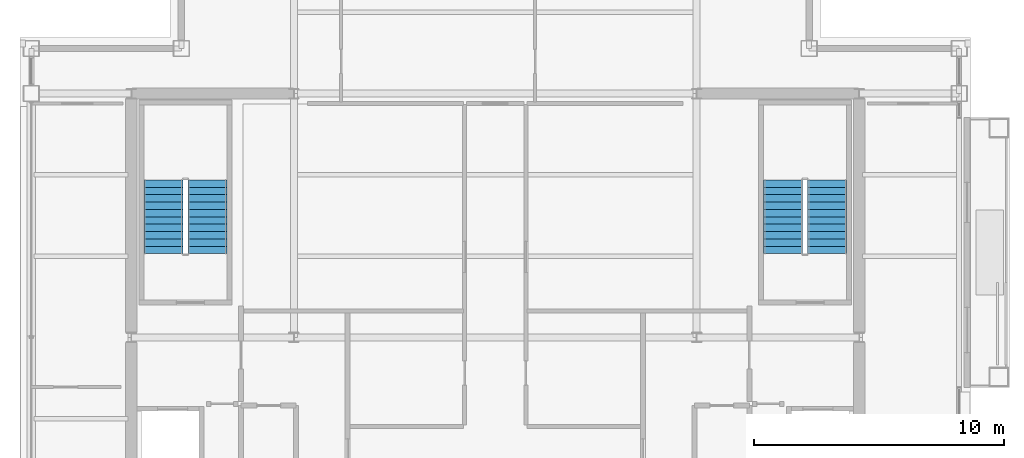
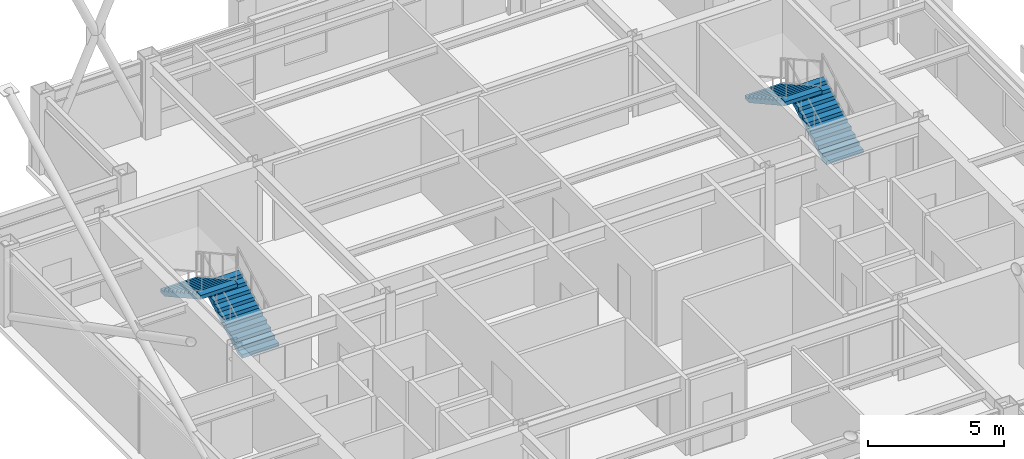
# One storey, part 26 of 28: 4 stair flights, 2 elements without a shape of their own.
"""IFC4 building model written with IfcOpenShell, lengths in metres."""

from ifc_helpers import new_model, si_unit, direction, frame, origin, place, context, subcontext, project, spatial, polyline, outline, extrude, material, type_object, element, aggregate, save


model = new_model("IFC4")

# Units and contexts
model_context = context("Model", 3, precision=1e-05, world=origin(), true_north=direction((0.0, 1.0)))
body_context = subcontext(model_context, "Body", "Model", "MODEL_VIEW")
ifc_project = project(units=[si_unit("LENGTHUNIT", "METRE"), si_unit("AREAUNIT", "SQUARE_METRE"), si_unit("VOLUMEUNIT", "CUBIC_METRE"), si_unit("PLANEANGLEUNIT", "RADIAN"), si_unit("MASSUNIT", "GRAM", prefix="KILO")], contexts=[model_context])

# Site, building, storey
site_placement = place(None, origin())
site = spatial("IfcSite", under=ifc_project, at=site_placement, CompositionType="ELEMENT")
building_placement = place(site_placement, origin())
building = spatial("IfcBuilding", under=site, at=building_placement, Name="Brelmoor Portico Tower", CompositionType="ELEMENT")
storey_placement = place(building_placement, frame((0.0, 0.0, 225.60009765625)))
storey = spatial("IfcBuildingStorey", under=building, at=storey_placement, Name="L59", CompositionType="ELEMENT", Elevation=225.60009765625)

# Stair, stair flights
ifc_material = material(Name="Concrete C40", Category="concrete")
stair_type_1 = type_object("IfcStairType", Name="ST-CORE-W", PredefinedType="HALF_TURN_STAIR", material=ifc_material)
stair_1_placement = place(storey_placement, origin())
stair_1 = element("IfcStair", 1, at=stair_1_placement, inside=storey, type_object=stair_type_1, Name="L59 Protected Core Exit Stair ST-W", PredefinedType="HALF_TURN_STAIR")
stair_flight_type = type_object("IfcStairFlightType", Name="SF-CORE-1850", PredefinedType="STRAIGHT", material=ifc_material)
stair_flight_1_placement = place(storey_placement, frame((-11.510009765625, 3.35009765625, 0.0), z_axis=(0.0, 0.0, 1.0), x_axis=(0.0, 1.0, 0.0)))
stair_flight_1 = element("IfcStairFlight", 2, at=stair_flight_1_placement, type_object=stair_flight_type, Name="ST-W flight 1", NumberOfRisers=11, NumberOfTreads=10, PredefinedType="STRAIGHT", RiserHeight=0.163636364, TreadLength=0.295, context=body_context, shape_type="SweptSolid", body=[
    extrude(outline(polyline([(0.0, 0.0), (0.0, 0.16357421875), (0.294921875, 0.16357421875), (0.294921875, 0.327392578125), (0.590087890625, 0.327392578125), (0.590087890625, 0.490966796875), (0.885009765625, 0.490966796875), (0.885009765625, 0.654541015625), (1.179931640625, 0.654541015625), (1.179931640625, 0.818115234375), (1.47509765625, 0.818115234375), (1.47509765625, 0.98193359375), (1.77001953125, 0.98193359375), (1.77001953125, 1.1455078125), (2.06494140625, 1.1455078125), (2.06494140625, 1.30908203125), (2.360107421875, 1.30908203125), (2.360107421875, 1.47265625), (2.655029296875, 1.47265625), (2.655029296875, 1.636474609375), (2.949951171875, 1.636474609375), (2.949951171875, 1.800048828125), (2.949951171875, 1.46484375), (0.30908203125, 0.0), (0.0, 0.0)])), frame((0.0, 0.780029296875, 0.0), z_axis=(0.0, -1.0, 0.0), x_axis=(1.0, 0.0, 0.0)), (0.0, 0.0, 1.0), 1.56005859375),
])
stair_flight_2_placement = place(storey_placement, frame((-13.27001953125, 6.300048828125, 1.7998046875), z_axis=(0.0, 0.0, 1.0), x_axis=(0.0, -1.0, 0.0)))
stair_flight_2 = element("IfcStairFlight", 3, at=stair_flight_2_placement, type_object=stair_flight_type, Name="ST-W flight 2", NumberOfRisers=11, NumberOfTreads=10, PredefinedType="STRAIGHT", RiserHeight=0.163636364, TreadLength=0.295, context=body_context, shape_type="SweptSolid", body=[
    extrude(outline(polyline([(0.0, 0.0), (0.0, 0.16357421875), (0.294921875, 0.16357421875), (0.294921875, 0.327392578125), (0.590087890625, 0.327392578125), (0.590087890625, 0.490966796875), (0.885009765625, 0.490966796875), (0.885009765625, 0.654541015625), (1.179931640625, 0.654541015625), (1.179931640625, 0.818115234375), (1.47509765625, 0.818115234375), (1.47509765625, 0.98193359375), (1.77001953125, 0.98193359375), (1.77001953125, 1.1455078125), (2.06494140625, 1.1455078125), (2.06494140625, 1.30908203125), (2.360107421875, 1.30908203125), (2.360107421875, 1.47265625), (2.655029296875, 1.47265625), (2.655029296875, 1.636474609375), (2.949951171875, 1.636474609375), (2.949951171875, 1.800048828125), (2.949951171875, 1.46484375), (0.30908203125, 0.0), (0.0, 0.0)])), frame((0.0, 0.780029296875, 0.0), z_axis=(0.0, -1.0, 0.0), x_axis=(1.0, 0.0, 0.0)), (0.0, 0.0, 1.0), 1.56005859375),
])
aggregate(stair_1, [stair_flight_1, stair_flight_2])

stair_type_2 = type_object("IfcStairType", Name="ST-CORE-E", PredefinedType="HALF_TURN_STAIR", material=ifc_material)
stair_2_placement = place(storey_placement, origin())
stair_2 = element("IfcStair", 4, at=stair_2_placement, inside=storey, type_object=stair_type_2, Name="L59 Protected Core Exit Stair ST-E", PredefinedType="HALF_TURN_STAIR")
stair_flight_3_placement = place(storey_placement, frame((13.27001953125, 3.35009765625, 0.0), z_axis=(0.0, 0.0, 1.0), x_axis=(0.0, 1.0, 0.0)))
stair_flight_3 = element("IfcStairFlight", 5, at=stair_flight_3_placement, type_object=stair_flight_type, Name="ST-E flight 1", NumberOfRisers=11, NumberOfTreads=10, PredefinedType="STRAIGHT", RiserHeight=0.163636364, TreadLength=0.295, context=body_context, shape_type="SweptSolid", body=[
    extrude(outline(polyline([(0.0, 0.0), (0.0, 0.16357421875), (0.294921875, 0.16357421875), (0.294921875, 0.327392578125), (0.590087890625, 0.327392578125), (0.590087890625, 0.490966796875), (0.885009765625, 0.490966796875), (0.885009765625, 0.654541015625), (1.179931640625, 0.654541015625), (1.179931640625, 0.818115234375), (1.47509765625, 0.818115234375), (1.47509765625, 0.98193359375), (1.77001953125, 0.98193359375), (1.77001953125, 1.1455078125), (2.06494140625, 1.1455078125), (2.06494140625, 1.30908203125), (2.360107421875, 1.30908203125), (2.360107421875, 1.47265625), (2.655029296875, 1.47265625), (2.655029296875, 1.636474609375), (2.949951171875, 1.636474609375), (2.949951171875, 1.800048828125), (2.949951171875, 1.46484375), (0.30908203125, 0.0), (0.0, 0.0)])), frame((0.0, 0.780029296875, 0.0), z_axis=(0.0, -1.0, 0.0), x_axis=(1.0, 0.0, 0.0)), (0.0, 0.0, 1.0), 1.56005859375),
])
stair_flight_4_placement = place(storey_placement, frame((11.510009765625, 6.300048828125, 1.7998046875), z_axis=(0.0, 0.0, 1.0), x_axis=(0.0, -1.0, 0.0)))
stair_flight_4 = element("IfcStairFlight", 6, at=stair_flight_4_placement, type_object=stair_flight_type, Name="ST-E flight 2", NumberOfRisers=11, NumberOfTreads=10, PredefinedType="STRAIGHT", RiserHeight=0.163636364, TreadLength=0.295, context=body_context, shape_type="SweptSolid", body=[
    extrude(outline(polyline([(0.0, 0.0), (0.0, 0.16357421875), (0.294921875, 0.16357421875), (0.294921875, 0.327392578125), (0.590087890625, 0.327392578125), (0.590087890625, 0.490966796875), (0.885009765625, 0.490966796875), (0.885009765625, 0.654541015625), (1.179931640625, 0.654541015625), (1.179931640625, 0.818115234375), (1.47509765625, 0.818115234375), (1.47509765625, 0.98193359375), (1.77001953125, 0.98193359375), (1.77001953125, 1.1455078125), (2.06494140625, 1.1455078125), (2.06494140625, 1.30908203125), (2.360107421875, 1.30908203125), (2.360107421875, 1.47265625), (2.655029296875, 1.47265625), (2.655029296875, 1.636474609375), (2.949951171875, 1.636474609375), (2.949951171875, 1.800048828125), (2.949951171875, 1.46484375), (0.30908203125, 0.0), (0.0, 0.0)])), frame((0.0, 0.780029296875, 0.0), z_axis=(0.0, -1.0, 0.0), x_axis=(1.0, 0.0, 0.0)), (0.0, 0.0, 1.0), 1.56005859375),
])
aggregate(stair_2, [stair_flight_3, stair_flight_4])

save(model, "model.ifc")
